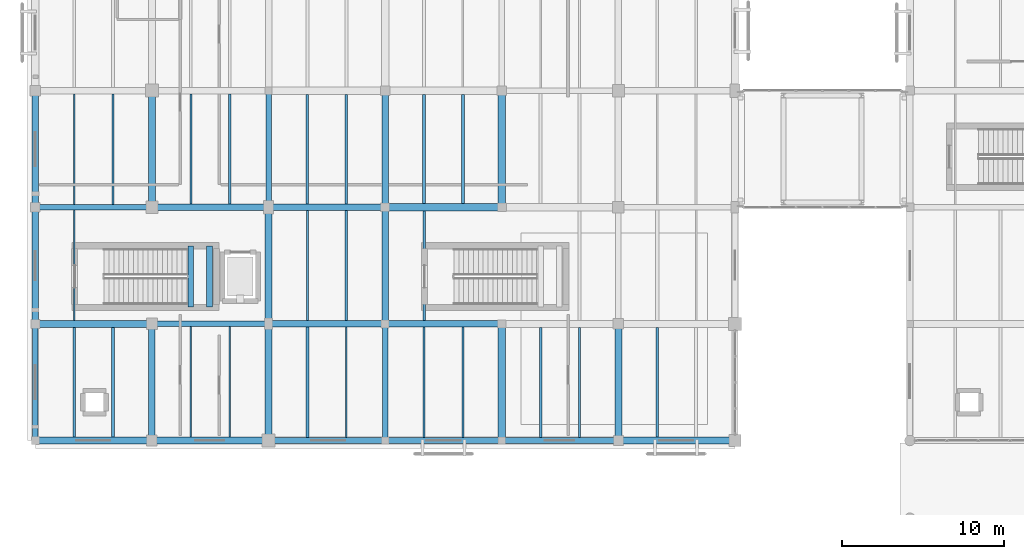
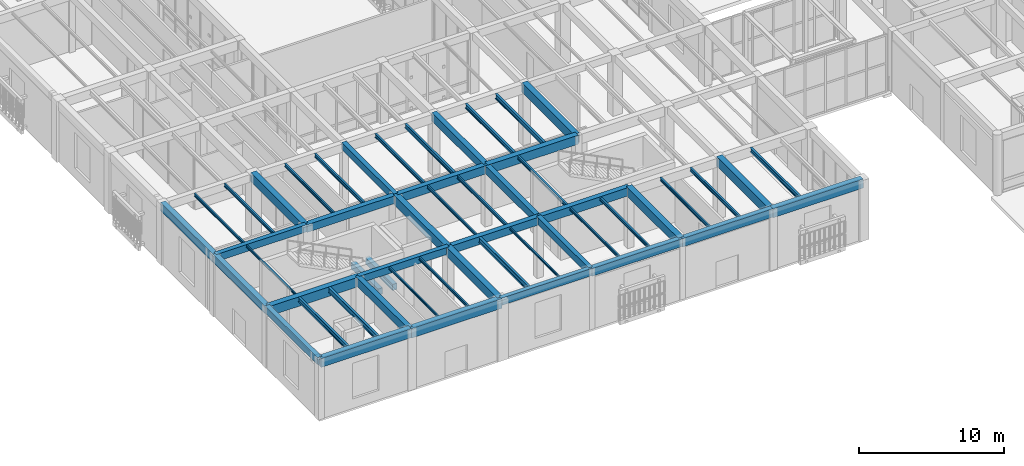
# One storey, part 18 of 169: 53 beams.
"""IFC4 building model written with IfcOpenShell, lengths in metres."""

from ifc_helpers import new_model, si_unit, direction, frame, origin, origin_2d, place, context, subcontext, project, spatial, rectangle, i_section, extrude, material, material_profile, profile_set, type_object, element, save


model = new_model("IFC4")

# Units and contexts
model_context = context("Model", 3, precision=1e-05, world=origin(), true_north=direction((0.0, 1.0)))
body_context = subcontext(model_context, "Body", "Model", "MODEL_VIEW")
ifc_project = project(units=[si_unit("LENGTHUNIT", "METRE"), si_unit("AREAUNIT", "SQUARE_METRE"), si_unit("VOLUMEUNIT", "CUBIC_METRE"), si_unit("PLANEANGLEUNIT", "RADIAN"), si_unit("MASSUNIT", "GRAM", prefix="KILO")], contexts=[model_context])

# Site, building, storey
site_placement = place(None, origin())
site = spatial("IfcSite", under=ifc_project, at=site_placement, CompositionType="ELEMENT")
building_placement = place(site_placement, origin())
building = spatial("IfcBuilding", under=site, at=building_placement, Name="Mazaris Harbour Polytechnic", CompositionType="ELEMENT")
storey_placement = place(building_placement, origin())
storey = spatial("IfcBuildingStorey", under=building, at=storey_placement, Name="L00", CompositionType="ELEMENT", Elevation=0.0)

# Beams
ifc_material_1 = material(Name="Concrete C35/45", Category="concrete")
ifc_material_profile_1 = material_profile(ifc_material_1, rectangle(XDim=0.35009765625, YDim=0.60009765625, at=origin_2d()), Name="RECT350x600")
ifc_profile_set_1 = profile_set([ifc_material_profile_1], Name="Concrete C35/45")
beam_type_1 = type_object("IfcBeamType", Name="RC Girder 350x600", PredefinedType="BEAM", material=ifc_profile_set_1)
for number, where, z_axis, x_axis, name in (
    (1, (7.199951171875, 14.39990234375, 4.800048828125), (1.0, 0.0, 0.0), (0.0, 1.0, 0.0), "V4 L00 Girder 1360"),
    (2, (0.0, 21.60009765625, 4.800048828125), (1.0, 0.0, 0.0), (0.0, 1.0, 0.0), "V4 L00 Girder 1365"),
    (3, (14.39990234375, 21.60009765625, 4.800048828125), (0.0, 1.0, 0.0), (-1.0, 0.0, 0.0), "V4 L00 Tie Girder 1450"),
    (4, (21.60009765625, 7.199951171875, 4.800048828125), (0.0, 1.0, 0.0), (-1.0, 0.0, 0.0), "V4 L00 Tie Girder 1460"),
):
    element("IfcBeam", number, at=place(storey_placement, frame(where, z_axis=z_axis, x_axis=x_axis)), inside=storey, type_object=beam_type_1, Name=name, PredefinedType="BEAM", context=body_context, shape_type="SweptSolid", body=[
        extrude(rectangle(XDim=0.35009765625, YDim=0.60009765625, at=origin_2d()), origin(), (0.0, 0.0, 1.0), 7.199951171875),
    ])
ifc_material_2 = material(Name="Concrete C35/45", Category="concrete")
ifc_material_profile_2 = material_profile(ifc_material_2, rectangle(XDim=0.35009765625, YDim=0.60009765625, at=origin_2d()), Name="RECT350x600")
ifc_profile_set_2 = profile_set([ifc_material_profile_2], Name="Concrete C35/45")
beam_type_2 = type_object("IfcBeamType", Name="RC Girder 350x600 Exterior", PredefinedType="BEAM", material=ifc_profile_set_2)
beam_1_placement = place(storey_placement, frame((14.39990234375, 7.199951171875, 4.800048828125), z_axis=(1.0, 0.0, 0.0), x_axis=(0.0, 1.0, 0.0)))
element("IfcBeam", 5, at=beam_1_placement, inside=storey, type_object=beam_type_2, Name="V4 L00 Girder 1355", PredefinedType="BEAM", context=body_context, shape_type="SweptSolid", body=[
    extrude(rectangle(XDim=0.35009765625, YDim=0.60009765625, at=origin_2d()), origin(), (0.0, 0.0, 1.0), 7.2001953125),
])
beam_2_placement = place(storey_placement, frame((0.0, 7.199951171875, 4.800048828125), z_axis=(0.0, 1.0, 0.0), x_axis=(-1.0, 0.0, 0.0)))
element("IfcBeam", 6, at=beam_2_placement, inside=storey, type_object=beam_type_2, Name="V4 L00 Tie Girder 1425", PredefinedType="BEAM", context=body_context, shape_type="SweptSolid", body=[
    extrude(rectangle(XDim=0.35009765625, YDim=0.60009765625, at=origin_2d()), origin(), (0.0, 0.0, 1.0), 7.199951171875),
])
ifc_material_3 = material(Name="Concrete C35/45", Category="concrete")
ifc_material_profile_3 = material_profile(ifc_material_3, rectangle(XDim=0.39990234375, YDim=0.64990234375, at=origin_2d()), Name="RECT400x650")
ifc_profile_set_3 = profile_set([ifc_material_profile_3], Name="Concrete C35/45")
beam_type_3 = type_object("IfcBeamType", Name="RC Girder 400x650", PredefinedType="BEAM", material=ifc_profile_set_3)
beam_3_placement = place(storey_placement, frame((14.39990234375, 14.39990234375, 4.77490234375), z_axis=(1.0, 0.0, 0.0), x_axis=(0.0, 1.0, 0.0)))
element("IfcBeam", 7, at=beam_3_placement, inside=storey, type_object=beam_type_3, Name="V4 L00 Girder 1361", PredefinedType="BEAM", context=body_context, shape_type="SweptSolid", body=[
    extrude(rectangle(XDim=0.39990234375, YDim=0.64990234375, at=origin_2d()), origin(), (0.0, 0.0, 1.0), 7.2001953125),
])
beam_4_placement = place(storey_placement, frame((7.199951171875, 21.60009765625, 4.77490234375), z_axis=(1.0, 0.0, 0.0), x_axis=(0.0, 1.0, 0.0)))
element("IfcBeam", 8, at=beam_4_placement, inside=storey, type_object=beam_type_3, Name="V4 L00 Girder 1366", PredefinedType="BEAM", context=body_context, shape_type="SweptSolid", body=[
    extrude(rectangle(XDim=0.39990234375, YDim=0.64990234375, at=origin_2d()), origin(), (0.0, 0.0, 1.0), 7.199951171875),
])
beam_5_placement = place(storey_placement, frame((21.60009765625, 14.39990234375, 4.77490234375), z_axis=(0.0, 1.0, 0.0), x_axis=(-1.0, 0.0, 0.0)))
element("IfcBeam", 9, at=beam_5_placement, inside=storey, type_object=beam_type_3, Name="V4 L00 Tie Girder 1461", PredefinedType="BEAM", context=body_context, shape_type="SweptSolid", body=[
    extrude(rectangle(XDim=0.39990234375, YDim=0.64990234375, at=origin_2d()), origin(), (0.0, 0.0, 1.0), 7.2001953125),
])
ifc_material_4 = material(Name="Concrete C35/45", Category="concrete")
ifc_material_profile_4 = material_profile(ifc_material_4, rectangle(XDim=0.39990234375, YDim=0.64990234375, at=origin_2d()), Name="RECT400x650")
ifc_profile_set_4 = profile_set([ifc_material_profile_4], Name="Concrete C35/45")
beam_type_4 = type_object("IfcBeamType", Name="RC Girder 400x650 Exterior", PredefinedType="BEAM", material=ifc_profile_set_4)
beam_6_placement = place(storey_placement, frame((21.60009765625, 7.199951171875, 4.77490234375), z_axis=(1.0, 0.0, 0.0), x_axis=(0.0, 1.0, 0.0)))
element("IfcBeam", 10, at=beam_6_placement, inside=storey, type_object=beam_type_4, Name="V4 L00 Girder 1356", PredefinedType="BEAM", context=body_context, shape_type="SweptSolid", body=[
    extrude(rectangle(XDim=0.39990234375, YDim=0.64990234375, at=origin_2d()), origin(), (0.0, 0.0, 1.0), 7.199951171875),
])
beam_7_placement = place(storey_placement, frame((0.0, 14.39990234375, 4.77490234375), z_axis=(0.0, 1.0, 0.0), x_axis=(-1.0, 0.0, 0.0)))
element("IfcBeam", 11, at=beam_7_placement, inside=storey, type_object=beam_type_4, Name="V4 L00 Tie Girder 1426", PredefinedType="BEAM", context=body_context, shape_type="SweptSolid", body=[
    extrude(rectangle(XDim=0.39990234375, YDim=0.64990234375, at=origin_2d()), origin(), (0.0, 0.0, 1.0), 7.2001953125),
])
ifc_material_5 = material(Name="Concrete C35/45", Category="concrete")
ifc_material_profile_5 = material_profile(ifc_material_5, rectangle(XDim=0.39990234375, YDim=0.699951171875, at=origin_2d()), Name="RECT400x700")
ifc_profile_set_5 = profile_set([ifc_material_profile_5], Name="Concrete C35/45")
beam_type_5 = type_object("IfcBeamType", Name="RC Girder 400x700", PredefinedType="BEAM", material=ifc_profile_set_5)
beam_8_placement = place(storey_placement, frame((21.60009765625, 14.39990234375, 4.75), z_axis=(1.0, 0.0, 0.0), x_axis=(0.0, 1.0, 0.0)))
element("IfcBeam", 12, at=beam_8_placement, inside=storey, type_object=beam_type_5, Name="V4 L00 Girder 1362", PredefinedType="BEAM", context=body_context, shape_type="SweptSolid", body=[
    extrude(rectangle(XDim=0.39990234375, YDim=0.699951171875, at=origin_2d()), origin(), (0.0, 0.0, 1.0), 7.199951171875),
])
beam_9_placement = place(storey_placement, frame((14.39990234375, 21.60009765625, 4.75), z_axis=(1.0, 0.0, 0.0), x_axis=(0.0, 1.0, 0.0)))
element("IfcBeam", 13, at=beam_9_placement, inside=storey, type_object=beam_type_5, Name="V4 L00 Girder 1367", PredefinedType="BEAM", context=body_context, shape_type="SweptSolid", body=[
    extrude(rectangle(XDim=0.39990234375, YDim=0.699951171875, at=origin_2d()), origin(), (0.0, 0.0, 1.0), 7.2001953125),
])
for number, where, z_axis, x_axis, name in (
    (14, (7.199951171875, 7.199951171875, 4.75), (0.0, 1.0, 0.0), (-1.0, 0.0, 0.0), "V4 L00 Tie Girder 1437"),
    (15, (21.60009765625, 21.60009765625, 4.75), (0.0, 1.0, 0.0), (-1.0, 0.0, 0.0), "V4 L00 Tie Girder 1462"),
):
    element("IfcBeam", number, at=place(storey_placement, frame(where, z_axis=z_axis, x_axis=x_axis)), inside=storey, type_object=beam_type_5, Name=name, PredefinedType="BEAM", context=body_context, shape_type="SweptSolid", body=[
        extrude(rectangle(XDim=0.39990234375, YDim=0.699951171875, at=origin_2d()), origin(), (0.0, 0.0, 1.0), 7.199951171875),
    ])
ifc_material_6 = material(Name="Concrete C35/45", Category="concrete")
ifc_material_profile_6 = material_profile(ifc_material_6, rectangle(XDim=0.39990234375, YDim=0.699951171875, at=origin_2d()), Name="RECT400x700")
ifc_profile_set_6 = profile_set([ifc_material_profile_6], Name="Concrete C35/45")
beam_type_6 = type_object("IfcBeamType", Name="RC Girder 400x700 Exterior", PredefinedType="BEAM", material=ifc_profile_set_6)
for number, where, z_axis, x_axis, name in (
    (16, (28.800048828125, 7.199951171875, 4.75), (1.0, 0.0, 0.0), (0.0, 1.0, 0.0), "V4 L00 Girder 1357"),
    (17, (0.0, 21.60009765625, 4.75), (0.0, 1.0, 0.0), (-1.0, 0.0, 0.0), "V4 L00 Tie Girder 1427"),
):
    element("IfcBeam", number, at=place(storey_placement, frame(where, z_axis=z_axis, x_axis=x_axis)), inside=storey, type_object=beam_type_6, Name=name, PredefinedType="BEAM", context=body_context, shape_type="SweptSolid", body=[
        extrude(rectangle(XDim=0.39990234375, YDim=0.699951171875, at=origin_2d()), origin(), (0.0, 0.0, 1.0), 7.199951171875),
    ])
ifc_material_7 = material(Name="Concrete C40/50", Category="concrete")
ifc_material_profile_7 = material_profile(ifc_material_7, rectangle(XDim=0.449951171875, YDim=0.75, at=origin_2d()), Name="RECT450x750")
ifc_profile_set_7 = profile_set([ifc_material_profile_7], Name="Concrete C40/50")
beam_type_7 = type_object("IfcBeamType", Name="RC Girder 450x750", PredefinedType="BEAM", material=ifc_profile_set_7)
for number, where, z_axis, x_axis, name in (
    (18, (21.60009765625, 21.60009765625, 4.72509765625), (1.0, 0.0, 0.0), (0.0, 1.0, 0.0), "V4 L00 Girder 1368"),
    (19, (7.199951171875, 21.60009765625, 4.72509765625), (0.0, 1.0, 0.0), (-1.0, 0.0, 0.0), "V4 L00 Tie Girder 1438"),
    (20, (14.39990234375, 7.199951171875, 4.72509765625), (0.0, 1.0, 0.0), (-1.0, 0.0, 0.0), "V4 L00 Tie Girder 1448"),
    (21, (28.800048828125, 7.199951171875, 4.72509765625), (0.0, 1.0, 0.0), (-1.0, 0.0, 0.0), "V4 L00 Tie Girder 1468"),
):
    element("IfcBeam", number, at=place(storey_placement, frame(where, z_axis=z_axis, x_axis=x_axis)), inside=storey, type_object=beam_type_7, Name=name, PredefinedType="BEAM", context=body_context, shape_type="SweptSolid", body=[
        extrude(rectangle(XDim=0.449951171875, YDim=0.75, at=origin_2d()), origin(), (0.0, 0.0, 1.0), 7.199951171875),
    ])
ifc_material_8 = material(Name="Concrete C40/50", Category="concrete")
ifc_material_profile_8 = material_profile(ifc_material_8, rectangle(XDim=0.449951171875, YDim=0.75, at=origin_2d()), Name="RECT450x750")
ifc_profile_set_8 = profile_set([ifc_material_profile_8], Name="Concrete C40/50")
beam_type_8 = type_object("IfcBeamType", Name="RC Girder 450x750 Exterior", PredefinedType="BEAM", material=ifc_profile_set_8)
for number, where, z_axis, x_axis, name in (
    (22, (0.0, 7.199951171875, 4.72509765625), (1.0, 0.0, 0.0), (0.0, 1.0, 0.0), "V4 L00 Girder 1353"),
    (23, (36.0, 7.199951171875, 4.72509765625), (1.0, 0.0, 0.0), (0.0, 1.0, 0.0), "V4 L00 Girder 1358"),
):
    element("IfcBeam", number, at=place(storey_placement, frame(where, z_axis=z_axis, x_axis=x_axis)), inside=storey, type_object=beam_type_8, Name=name, PredefinedType="BEAM", context=body_context, shape_type="SweptSolid", body=[
        extrude(rectangle(XDim=0.449951171875, YDim=0.75, at=origin_2d()), origin(), (0.0, 0.0, 1.0), 7.199951171875),
    ])
ifc_material_9 = material(Name="Concrete C40/50", Category="concrete")
ifc_material_profile_9 = material_profile(ifc_material_9, rectangle(XDim=0.449951171875, YDim=0.800048828125, at=origin_2d()), Name="RECT450x800")
ifc_profile_set_9 = profile_set([ifc_material_profile_9], Name="Concrete C40/50")
beam_type_9 = type_object("IfcBeamType", Name="RC Girder 450x800", PredefinedType="BEAM", material=ifc_profile_set_9)
beam_10_placement = place(storey_placement, frame((0.0, 14.39990234375, 4.699951171875), z_axis=(1.0, 0.0, 0.0), x_axis=(0.0, 1.0, 0.0)))
element("IfcBeam", 24, at=beam_10_placement, inside=storey, type_object=beam_type_9, Name="V4 L00 Girder 1359", PredefinedType="BEAM", context=body_context, shape_type="SweptSolid", body=[
    extrude(rectangle(XDim=0.449951171875, YDim=0.800048828125, at=origin_2d()), origin(), (0.0, 0.0, 1.0), 7.199951171875),
])
beam_11_placement = place(storey_placement, frame((14.39990234375, 14.39990234375, 4.699951171875), z_axis=(0.0, 1.0, 0.0), x_axis=(-1.0, 0.0, 0.0)))
element("IfcBeam", 25, at=beam_11_placement, inside=storey, type_object=beam_type_9, Name="V4 L00 Tie Girder 1449", PredefinedType="BEAM", context=body_context, shape_type="SweptSolid", body=[
    extrude(rectangle(XDim=0.449951171875, YDim=0.800048828125, at=origin_2d()), origin(), (0.0, 0.0, 1.0), 7.2001953125),
])
for number, where, z_axis, x_axis, name in (
    (26, (28.800048828125, 21.60009765625, 4.699951171875), (0.0, 1.0, 0.0), (-1.0, 0.0, 0.0), "V4 L00 Tie Girder 1469"),
    (27, (36.0, 7.199951171875, 4.699951171875), (0.0, 1.0, 0.0), (-1.0, 0.0, 0.0), "V4 L00 Tie Girder 1479"),
):
    element("IfcBeam", number, at=place(storey_placement, frame(where, z_axis=z_axis, x_axis=x_axis)), inside=storey, type_object=beam_type_9, Name=name, PredefinedType="BEAM", context=body_context, shape_type="SweptSolid", body=[
        extrude(rectangle(XDim=0.449951171875, YDim=0.800048828125, at=origin_2d()), origin(), (0.0, 0.0, 1.0), 7.199951171875),
    ])
ifc_material_10 = material(Name="Concrete C40/50", Category="concrete")
ifc_material_profile_10 = material_profile(ifc_material_10, rectangle(XDim=0.449951171875, YDim=0.800048828125, at=origin_2d()), Name="RECT450x800")
ifc_profile_set_10 = profile_set([ifc_material_profile_10], Name="Concrete C40/50")
beam_type_10 = type_object("IfcBeamType", Name="RC Girder 450x800 Exterior", PredefinedType="BEAM", material=ifc_profile_set_10)
beam_12_placement = place(storey_placement, frame((7.199951171875, 7.199951171875, 4.699951171875), z_axis=(1.0, 0.0, 0.0), x_axis=(0.0, 1.0, 0.0)))
element("IfcBeam", 28, at=beam_12_placement, inside=storey, type_object=beam_type_10, Name="V4 L00 Girder 1354", PredefinedType="BEAM", context=body_context, shape_type="SweptSolid", body=[
    extrude(rectangle(XDim=0.449951171875, YDim=0.800048828125, at=origin_2d()), origin(), (0.0, 0.0, 1.0), 7.199951171875),
])
ifc_material_11 = material(Name="Concrete C40/50", Category="concrete")
ifc_material_profile_11 = material_profile(ifc_material_11, rectangle(XDim=0.35009765625, YDim=0.52001953125, at=origin_2d()), Name="RECT350x520")
ifc_profile_set_11 = profile_set([ifc_material_profile_11], Name="Concrete C40/50")
beam_type_11 = type_object("IfcBeamType", Name="RC Landing Bearer 350x520", PredefinedType="BEAM", material=ifc_profile_set_11)
for number, where, z_axis, x_axis, name in (
    (29, (9.60009765625, 15.449951171875, 2.239990234375), (0.0, 1.0, 0.0), (-1.0, 0.0, 0.0), "Core ST07 L00 Landing Bearer"),
    (30, (10.75, 15.449951171875, 2.239990234375), (0.0, 1.0, 0.0), (-1.0, 0.0, 0.0), "Core ST07 L00 Landing Bearer"),
):
    element("IfcBeam", number, at=place(storey_placement, frame(where, z_axis=z_axis, x_axis=x_axis)), inside=storey, type_object=beam_type_11, Name=name, PredefinedType="BEAM", context=body_context, shape_type="SweptSolid", body=[
        extrude(rectangle(XDim=0.35009765625, YDim=0.52001953125, at=origin_2d()), origin(), (0.0, 0.0, 1.0), 3.75),
    ])
ifc_material_12 = material(Name="Steel S355", Category="steel")
ifc_material_profile_12 = material_profile(ifc_material_12, i_section(OverallWidth=0.10009765625, OverallDepth=0.199951171875, WebThickness=0.005615234375, FlangeThickness=0.008544921875, FilletRadius=0.011962890625, at=origin_2d()), Name="IPE 200")
ifc_profile_set_12 = profile_set([ifc_material_profile_12], Name="Steel S355")
beam_type_12 = type_object("IfcBeamType", Name="Steel Joist IPE200", PredefinedType="JOIST", material=ifc_profile_set_12)
for number, where, z_axis, x_axis, name in (
    (31, (2.39990234375, 14.625, 5.0), (0.0, 1.0, 0.0), (-1.0, 0.0, 0.0), "V4 L00 Floor Joist 1505"),
    (32, (9.60009765625, 7.425048828125, 5.0), (0.0, 1.0, 0.0), (-1.0, 0.0, 0.0), "V4 L00 Floor Joist 1526"),
):
    element("IfcBeam", number, at=place(storey_placement, frame(where, z_axis=z_axis, x_axis=x_axis)), inside=storey, type_object=beam_type_12, Name=name, PredefinedType="JOIST", context=body_context, shape_type="SweptSolid", body=[
        extrude(i_section(OverallWidth=0.10009765625, OverallDepth=0.199951171875, WebThickness=0.005615234375, FlangeThickness=0.008544921875, FilletRadius=0.011962890625, at=origin_2d()), origin(), (0.0, 0.0, 1.0), 6.800048828125),
    ])
beam_13_placement = place(storey_placement, frame((19.199951171875, 7.375, 5.0), z_axis=(0.0, 1.0, 0.0), x_axis=(-1.0, 0.0, 0.0)))
element("IfcBeam", 33, at=beam_13_placement, inside=storey, type_object=beam_type_12, Name="V4 L00 Floor Joist 1547", PredefinedType="JOIST", context=body_context, shape_type="SweptSolid", body=[
    extrude(i_section(OverallWidth=0.10009765625, OverallDepth=0.199951171875, WebThickness=0.005615234375, FlangeThickness=0.008544921875, FilletRadius=0.011962890625, at=origin_2d()), origin(), (0.0, 0.0, 1.0), 6.824951171875),
])
ifc_material_13 = material(Name="Steel S355", Category="steel")
ifc_material_profile_13 = material_profile(ifc_material_13, i_section(OverallWidth=0.1201171875, OverallDepth=0.239990234375, WebThickness=0.006103515625, FlangeThickness=0.009765625, FilletRadius=0.014892578125, at=origin_2d()), Name="IPE 240")
ifc_profile_set_13 = profile_set([ifc_material_profile_13], Name="Steel S355")
beam_type_13 = type_object("IfcBeamType", Name="Steel Joist IPE240", PredefinedType="JOIST", material=ifc_profile_set_13)
beam_14_placement = place(storey_placement, frame((2.39990234375, 21.77490234375, 4.97998046875), z_axis=(0.0, 1.0, 0.0), x_axis=(-1.0, 0.0, 0.0)))
element("IfcBeam", 34, at=beam_14_placement, inside=storey, type_object=beam_type_13, Name="V4 L00 Floor Joist 1506", PredefinedType="JOIST", context=body_context, shape_type="SweptSolid", body=[
    extrude(i_section(OverallWidth=0.1201171875, OverallDepth=0.239990234375, WebThickness=0.006103515625, FlangeThickness=0.009765625, FilletRadius=0.014892578125, at=origin_2d()), origin(), (0.0, 0.0, 1.0), 6.8251953125),
])
beam_15_placement = place(storey_placement, frame((12.0, 7.425048828125, 4.97998046875), z_axis=(0.0, 1.0, 0.0), x_axis=(-1.0, 0.0, 0.0)))
element("IfcBeam", 35, at=beam_15_placement, inside=storey, type_object=beam_type_13, Name="V4 L00 Floor Joist 1527", PredefinedType="JOIST", context=body_context, shape_type="SweptSolid", body=[
    extrude(i_section(OverallWidth=0.1201171875, OverallDepth=0.239990234375, WebThickness=0.006103515625, FlangeThickness=0.009765625, FilletRadius=0.014892578125, at=origin_2d()), origin(), (0.0, 0.0, 1.0), 6.800048828125),
])
beam_16_placement = place(storey_placement, frame((16.800048828125, 14.60009765625, 4.97998046875), z_axis=(0.0, 1.0, 0.0), x_axis=(-1.0, 0.0, 0.0)))
element("IfcBeam", 36, at=beam_16_placement, inside=storey, type_object=beam_type_13, Name="V4 L00 Floor Joist 1548", PredefinedType="JOIST", context=body_context, shape_type="SweptSolid", body=[
    extrude(i_section(OverallWidth=0.1201171875, OverallDepth=0.239990234375, WebThickness=0.006103515625, FlangeThickness=0.009765625, FilletRadius=0.014892578125, at=origin_2d()), origin(), (0.0, 0.0, 1.0), 6.7998046875),
])
beam_17_placement = place(storey_placement, frame((24.0, 7.39990234375, 4.97998046875), z_axis=(0.0, 1.0, 0.0), x_axis=(-1.0, 0.0, 0.0)))
element("IfcBeam", 37, at=beam_17_placement, inside=storey, type_object=beam_type_13, Name="V4 L00 Floor Joist 1562", PredefinedType="JOIST", context=body_context, shape_type="SweptSolid", body=[
    extrude(i_section(OverallWidth=0.1201171875, OverallDepth=0.239990234375, WebThickness=0.006103515625, FlangeThickness=0.009765625, FilletRadius=0.014892578125, at=origin_2d()), origin(), (0.0, 0.0, 1.0), 6.800048828125),
])
ifc_material_14 = material(Name="Steel S355", Category="steel")
ifc_material_profile_14 = material_profile(ifc_material_14, i_section(OverallWidth=0.135009765625, OverallDepth=0.27001953125, WebThickness=0.006591796875, FlangeThickness=0.01025390625, FilletRadius=0.014892578125, at=origin_2d()), Name="IPE 270")
ifc_profile_set_14 = profile_set([ifc_material_profile_14], Name="Steel S355")
beam_type_14 = type_object("IfcBeamType", Name="Steel Joist IPE270", PredefinedType="JOIST", material=ifc_profile_set_14)
beam_18_placement = place(storey_placement, frame((4.800048828125, 21.77490234375, 4.965087890625), z_axis=(0.0, 1.0, 0.0), x_axis=(-1.0, 0.0, 0.0)))
element("IfcBeam", 38, at=beam_18_placement, inside=storey, type_object=beam_type_14, Name="V4 L00 Floor Joist 1507", PredefinedType="JOIST", context=body_context, shape_type="SweptSolid", body=[
    extrude(i_section(OverallWidth=0.135009765625, OverallDepth=0.27001953125, WebThickness=0.006591796875, FlangeThickness=0.01025390625, FilletRadius=0.014892578125, at=origin_2d()), origin(), (0.0, 0.0, 1.0), 6.8251953125),
])
beam_19_placement = place(storey_placement, frame((9.60009765625, 21.800048828125, 4.965087890625), z_axis=(0.0, 1.0, 0.0), x_axis=(-1.0, 0.0, 0.0)))
element("IfcBeam", 39, at=beam_19_placement, inside=storey, type_object=beam_type_14, Name="V4 L00 Floor Joist 1528", PredefinedType="JOIST", context=body_context, shape_type="SweptSolid", body=[
    extrude(i_section(OverallWidth=0.135009765625, OverallDepth=0.27001953125, WebThickness=0.006591796875, FlangeThickness=0.01025390625, FilletRadius=0.014892578125, at=origin_2d()), origin(), (0.0, 0.0, 1.0), 6.800048828125),
])
beam_20_placement = place(storey_placement, frame((19.199951171875, 14.60009765625, 4.965087890625), z_axis=(0.0, 1.0, 0.0), x_axis=(-1.0, 0.0, 0.0)))
element("IfcBeam", 40, at=beam_20_placement, inside=storey, type_object=beam_type_14, Name="V4 L00 Floor Joist 1549", PredefinedType="JOIST", context=body_context, shape_type="SweptSolid", body=[
    extrude(i_section(OverallWidth=0.135009765625, OverallDepth=0.27001953125, WebThickness=0.006591796875, FlangeThickness=0.01025390625, FilletRadius=0.014892578125, at=origin_2d()), origin(), (0.0, 0.0, 1.0), 6.7998046875),
])
beam_21_placement = place(storey_placement, frame((26.39990234375, 7.39990234375, 4.965087890625), z_axis=(0.0, 1.0, 0.0), x_axis=(-1.0, 0.0, 0.0)))
element("IfcBeam", 41, at=beam_21_placement, inside=storey, type_object=beam_type_14, Name="V4 L00 Floor Joist 1563", PredefinedType="JOIST", context=body_context, shape_type="SweptSolid", body=[
    extrude(i_section(OverallWidth=0.135009765625, OverallDepth=0.27001953125, WebThickness=0.006591796875, FlangeThickness=0.01025390625, FilletRadius=0.014892578125, at=origin_2d()), origin(), (0.0, 0.0, 1.0), 6.800048828125),
])
beam_22_placement = place(storey_placement, frame((31.199951171875, 7.39990234375, 4.965087890625), z_axis=(0.0, 1.0, 0.0), x_axis=(-1.0, 0.0, 0.0)))
element("IfcBeam", 42, at=beam_22_placement, inside=storey, type_object=beam_type_14, Name="V4 L00 Floor Joist 1577", PredefinedType="JOIST", context=body_context, shape_type="SweptSolid", body=[
    extrude(i_section(OverallWidth=0.135009765625, OverallDepth=0.27001953125, WebThickness=0.006591796875, FlangeThickness=0.01025390625, FilletRadius=0.014892578125, at=origin_2d()), origin(), (0.0, 0.0, 1.0), 6.775146484375),
])
ifc_material_15 = material(Name="Steel S355", Category="steel")
ifc_material_profile_15 = material_profile(ifc_material_15, i_section(OverallWidth=0.14990234375, OverallDepth=0.300048828125, WebThickness=0.007080078125, FlangeThickness=0.0107421875, FilletRadius=0.014892578125, at=origin_2d()), Name="IPE 300")
ifc_profile_set_15 = profile_set([ifc_material_profile_15], Name="Steel S355")
beam_type_15 = type_object("IfcBeamType", Name="Steel Joist IPE300", PredefinedType="JOIST", material=ifc_profile_set_15)
beam_23_placement = place(storey_placement, frame((12.0, 21.800048828125, 4.949951171875), z_axis=(0.0, 1.0, 0.0), x_axis=(-1.0, 0.0, 0.0)))
element("IfcBeam", 43, at=beam_23_placement, inside=storey, type_object=beam_type_15, Name="V4 L00 Floor Joist 1529", PredefinedType="JOIST", context=body_context, shape_type="SweptSolid", body=[
    extrude(i_section(OverallWidth=0.14990234375, OverallDepth=0.300048828125, WebThickness=0.007080078125, FlangeThickness=0.0107421875, FilletRadius=0.014892578125, at=origin_2d()), origin(), (0.0, 0.0, 1.0), 6.800048828125),
])
for number, where, z_axis, x_axis, name in (
    (44, (16.800048828125, 21.800048828125, 4.949951171875), (0.0, 1.0, 0.0), (-1.0, 0.0, 0.0), "V4 L00 Floor Joist 1550"),
    (45, (24.0, 14.60009765625, 4.949951171875), (0.0, 1.0, 0.0), (-1.0, 0.0, 0.0), "V4 L00 Floor Joist 1564"),
):
    element("IfcBeam", number, at=place(storey_placement, frame(where, z_axis=z_axis, x_axis=x_axis)), inside=storey, type_object=beam_type_15, Name=name, PredefinedType="JOIST", context=body_context, shape_type="SweptSolid", body=[
        extrude(i_section(OverallWidth=0.14990234375, OverallDepth=0.300048828125, WebThickness=0.007080078125, FlangeThickness=0.0107421875, FilletRadius=0.014892578125, at=origin_2d()), origin(), (0.0, 0.0, 1.0), 6.77490234375),
    ])
beam_24_placement = place(storey_placement, frame((33.60009765625, 7.39990234375, 4.949951171875), z_axis=(0.0, 1.0, 0.0), x_axis=(-1.0, 0.0, 0.0)))
element("IfcBeam", 46, at=beam_24_placement, inside=storey, type_object=beam_type_15, Name="V4 L00 Floor Joist 1578", PredefinedType="JOIST", context=body_context, shape_type="SweptSolid", body=[
    extrude(i_section(OverallWidth=0.14990234375, OverallDepth=0.300048828125, WebThickness=0.007080078125, FlangeThickness=0.0107421875, FilletRadius=0.014892578125, at=origin_2d()), origin(), (0.0, 0.0, 1.0), 6.775146484375),
])
ifc_material_16 = material(Name="Steel S355", Category="steel")
ifc_material_profile_16 = material_profile(ifc_material_16, i_section(OverallWidth=0.169921875, OverallDepth=0.360107421875, WebThickness=0.008056640625, FlangeThickness=0.0126953125, FilletRadius=0.01806640625, at=origin_2d()), Name="IPE 360")
ifc_profile_set_16 = profile_set([ifc_material_profile_16], Name="Steel S355")
beam_type_16 = type_object("IfcBeamType", Name="Steel Joist IPE360", PredefinedType="JOIST", material=ifc_profile_set_16)
beam_25_placement = place(storey_placement, frame((19.199951171875, 21.800048828125, 4.919921875), z_axis=(0.0, 1.0, 0.0), x_axis=(-1.0, 0.0, 0.0)))
element("IfcBeam", 47, at=beam_25_placement, inside=storey, type_object=beam_type_16, Name="V4 L00 Floor Joist 1551", PredefinedType="JOIST", context=body_context, shape_type="SweptSolid", body=[
    extrude(i_section(OverallWidth=0.169921875, OverallDepth=0.360107421875, WebThickness=0.008056640625, FlangeThickness=0.0126953125, FilletRadius=0.01806640625, at=origin_2d()), origin(), (0.0, 0.0, 1.0), 6.77490234375),
])
for number, where, z_axis, x_axis, name in (
    (48, (24.0, 21.824951171875, 4.919921875), (0.0, 1.0, 0.0), (-1.0, 0.0, 0.0), "V4 L00 Floor Joist 1565"),
    (49, (38.39990234375, 7.425048828125, 4.919921875), (0.0, 1.0, 0.0), (-1.0, 0.0, 0.0), "V4 L00 Floor Joist 1600"),
):
    element("IfcBeam", number, at=place(storey_placement, frame(where, z_axis=z_axis, x_axis=x_axis)), inside=storey, type_object=beam_type_16, Name=name, PredefinedType="JOIST", context=body_context, shape_type="SweptSolid", body=[
        extrude(i_section(OverallWidth=0.169921875, OverallDepth=0.360107421875, WebThickness=0.008056640625, FlangeThickness=0.0126953125, FilletRadius=0.01806640625, at=origin_2d()), origin(), (0.0, 0.0, 1.0), 6.75),
    ])
ifc_material_17 = material(Name="Steel S355", Category="steel")
ifc_material_profile_17 = material_profile(ifc_material_17, i_section(OverallWidth=0.179931640625, OverallDepth=0.39990234375, WebThickness=0.008544921875, FlangeThickness=0.013427734375, FilletRadius=0.02099609375, at=origin_2d()), Name="IPE 400")
ifc_profile_set_17 = profile_set([ifc_material_profile_17], Name="Steel S355")
beam_type_17 = type_object("IfcBeamType", Name="Steel Joist IPE400", PredefinedType="JOIST", material=ifc_profile_set_17)
for number, where, z_axis, x_axis, name in (
    (50, (2.39990234375, 7.425048828125, 4.89990234375), (0.0, 1.0, 0.0), (-1.0, 0.0, 0.0), "V4 L00 Floor Joist 1503"),
    (51, (26.39990234375, 21.824951171875, 4.89990234375), (0.0, 1.0, 0.0), (-1.0, 0.0, 0.0), "V4 L00 Floor Joist 1566"),
):
    element("IfcBeam", number, at=place(storey_placement, frame(where, z_axis=z_axis, x_axis=x_axis)), inside=storey, type_object=beam_type_17, Name=name, PredefinedType="JOIST", context=body_context, shape_type="SweptSolid", body=[
        extrude(i_section(OverallWidth=0.179931640625, OverallDepth=0.39990234375, WebThickness=0.008544921875, FlangeThickness=0.013427734375, FilletRadius=0.02099609375, at=origin_2d()), origin(), (0.0, 0.0, 1.0), 6.75),
    ])
ifc_material_18 = material(Name="Steel S355", Category="steel")
ifc_material_profile_18 = material_profile(ifc_material_18, i_section(OverallWidth=0.18994140625, OverallDepth=0.449951171875, WebThickness=0.009521484375, FlangeThickness=0.0146484375, FilletRadius=0.02099609375, at=origin_2d()), Name="IPE 450")
ifc_profile_set_18 = profile_set([ifc_material_profile_18], Name="Steel S355")
beam_type_18 = type_object("IfcBeamType", Name="Steel Joist IPE450", PredefinedType="JOIST", material=ifc_profile_set_18)
beam_26_placement = place(storey_placement, frame((4.800048828125, 7.425048828125, 4.875), z_axis=(0.0, 1.0, 0.0), x_axis=(-1.0, 0.0, 0.0)))
element("IfcBeam", 52, at=beam_26_placement, inside=storey, type_object=beam_type_18, Name="V4 L00 Floor Joist 1504", PredefinedType="JOIST", context=body_context, shape_type="SweptSolid", body=[
    extrude(i_section(OverallWidth=0.18994140625, OverallDepth=0.449951171875, WebThickness=0.009521484375, FlangeThickness=0.0146484375, FilletRadius=0.02099609375, at=origin_2d()), origin(), (0.0, 0.0, 1.0), 6.75),
])
beam_27_placement = place(storey_placement, frame((16.800048828125, 7.375, 4.875), z_axis=(0.0, 1.0, 0.0), x_axis=(-1.0, 0.0, 0.0)))
element("IfcBeam", 53, at=beam_27_placement, inside=storey, type_object=beam_type_18, Name="V4 L00 Floor Joist 1546", PredefinedType="JOIST", context=body_context, shape_type="SweptSolid", body=[
    extrude(i_section(OverallWidth=0.18994140625, OverallDepth=0.449951171875, WebThickness=0.009521484375, FlangeThickness=0.0146484375, FilletRadius=0.02099609375, at=origin_2d()), origin(), (0.0, 0.0, 1.0), 6.824951171875),
])

save(model, "model.ifc")
